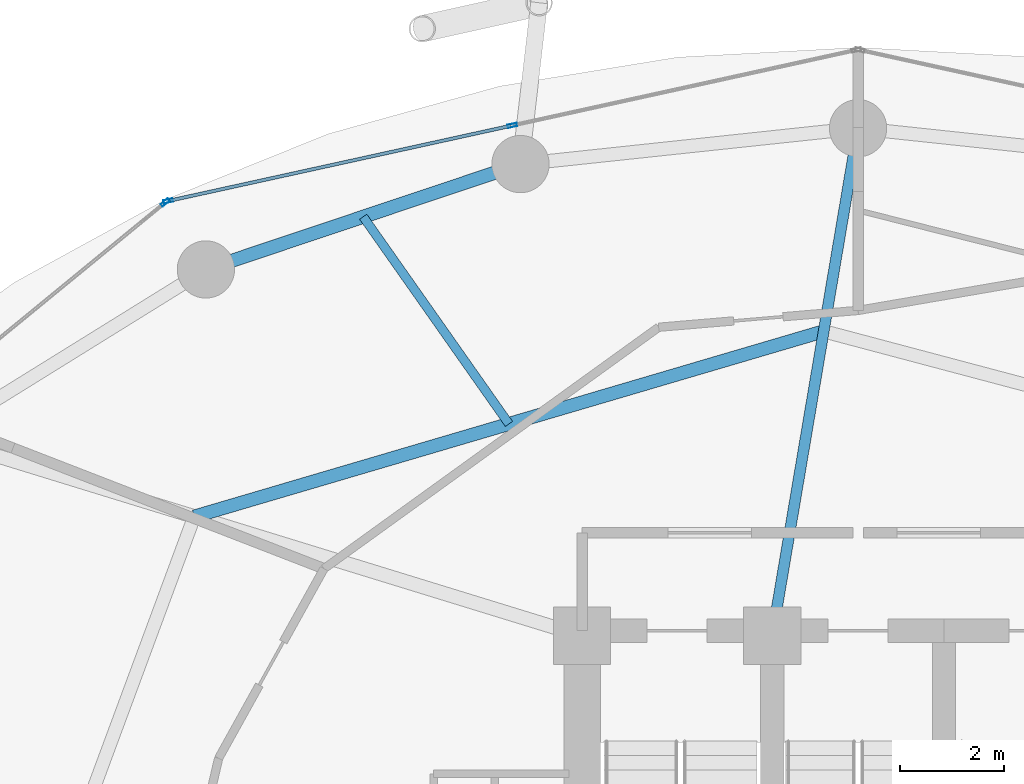
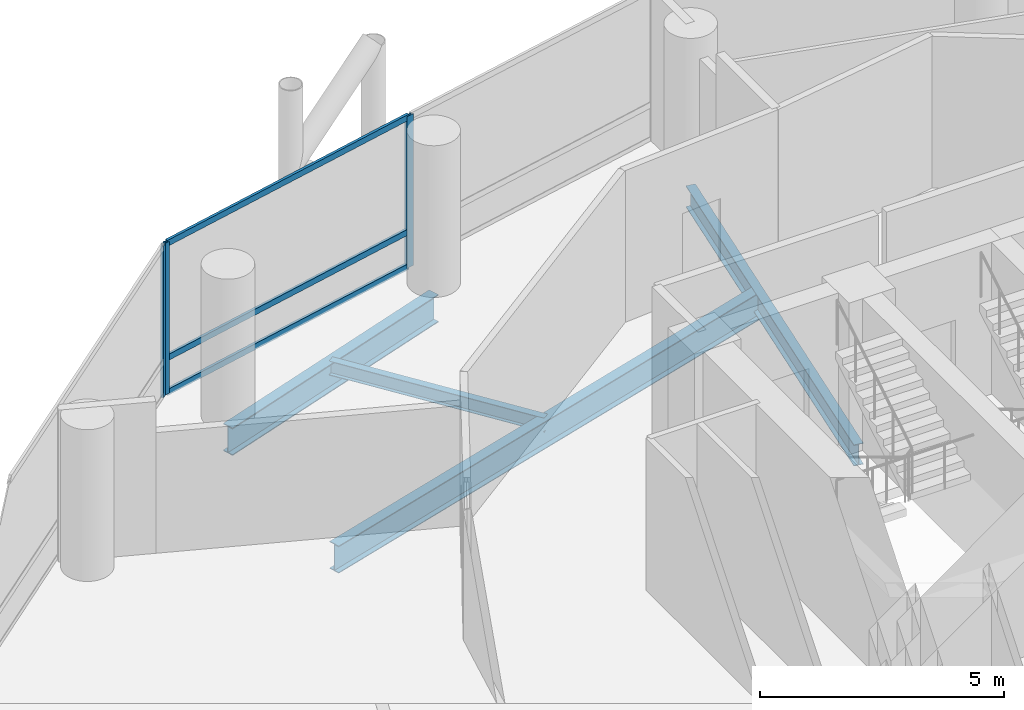
# One storey, part 15 of 24: 6 members, 4 beams, 2 elements without a shape of their own.
"""IFC4 building model written with IfcOpenShell, lengths in metres."""

from ifc_helpers import new_model, si_unit, direction, frame, origin, origin_2d, place, context, subcontext, project, spatial, hollow_rectangle, i_section, extrude, material, layer, layer_set, material_profile, profile_set, type_object, element, aggregate, save


model = new_model("IFC4")

# Units and contexts
model_context = context("Model", 3, precision=1e-05, world=origin(), true_north=direction((0.0, 1.0)))
body_context = subcontext(model_context, "Body", "Model", "MODEL_VIEW")
ifc_project = project(units=[si_unit("LENGTHUNIT", "METRE"), si_unit("AREAUNIT", "SQUARE_METRE"), si_unit("VOLUMEUNIT", "CUBIC_METRE"), si_unit("PLANEANGLEUNIT", "RADIAN"), si_unit("MASSUNIT", "GRAM", prefix="KILO")], contexts=[model_context])

# Site, building, storey
site_placement = place(None, origin())
site = spatial("IfcSite", under=ifc_project, at=site_placement, CompositionType="ELEMENT")
building_placement = place(site_placement, origin())
building = spatial("IfcBuilding", under=site, at=building_placement, Name="Nuhasar Tower", CompositionType="ELEMENT")
storey_placement = place(building_placement, frame((0.0, 0.0, 77.699951171875)))
storey = spatial("IfcBuildingStorey", under=building, at=storey_placement, Name="L18", CompositionType="ELEMENT", Elevation=77.699951171875)

# Beams
ifc_material_1 = material(Name="Steel S355", Category="steel")
ifc_material_profile_1 = material_profile(ifc_material_1, i_section(OverallWidth=0.25390625, OverallDepth=0.68408203125, WebThickness=0.012451171875, FlangeThickness=0.018798828125, at=origin_2d()), Name="W27X94")
ifc_profile_set_1 = profile_set([ifc_material_profile_1], Name="Steel S355")
beam_type_1 = type_object("IfcBeamType", Name="BM-INRING-W27X94", PredefinedType="BEAM", material=ifc_profile_set_1)
beam_1_placement = place(storey_placement, frame((38.340087890625, 43.14990234375, -0.592041015625), z_axis=(-0.959290190666, -0.28242225495, 0.0), x_axis=(0.28242225495, -0.959290190666, 0.0)))
element("IfcBeam", 1, at=beam_1_placement, inside=storey, type_object=beam_type_1, Name="L18 Inner Header Beam 06", PredefinedType="BEAM", context=body_context, shape_type="SweptSolid", body=[
    extrude(i_section(OverallWidth=0.25390625, OverallDepth=0.68408203125, WebThickness=0.012451171875, FlangeThickness=0.018798828125, at=origin_2d()), origin(), (0.0, 0.0, 1.0), 12.60107421875),
])
ifc_material_profile_2 = material_profile(ifc_material_1, i_section(OverallWidth=0.1708984375, OverallDepth=0.35205078125, WebThickness=0.0068359375, FlangeThickness=0.009765625, at=origin_2d()), Name="W14X30")
ifc_profile_set_2 = profile_set([ifc_material_profile_2], Name="Steel S355")
beam_type_2 = type_object("IfcBeamType", Name="BM-JST-W14X30", PredefinedType="JOIST", material=ifc_profile_set_2)
beam_2_placement = place(storey_placement, frame((32.2958984375, 41.3701171875, -0.426025390625), z_axis=(-0.575461088141, 0.817829160666, 0.0), x_axis=(-0.817829160666, -0.575461088141, 0.0)))
element("IfcBeam", 2, at=beam_2_placement, inside=storey, type_object=beam_type_2, Name="L18 Secondary Floor Joist 06", PredefinedType="JOIST", context=body_context, shape_type="SweptSolid", body=[
    extrude(i_section(OverallWidth=0.1708984375, OverallDepth=0.35205078125, WebThickness=0.0068359375, FlangeThickness=0.009765625, at=origin_2d()), origin(), (0.0, 0.0, 1.0), 4.865234375),
])
ifc_material_profile_3 = material_profile(ifc_material_1, i_section(OverallWidth=0.208984375, OverallDepth=0.532958984375, WebThickness=0.01025390625, FlangeThickness=0.015625, at=origin_2d()), Name="W21X62")
ifc_profile_set_3 = profile_set([ifc_material_profile_3], Name="Steel S355")
beam_type_3 = type_object("IfcBeamType", Name="BM-RAD-W21X62", PredefinedType="BEAM", material=ifc_profile_set_3)
beam_3_placement = place(storey_placement, frame((37.35009765625, 37.300048828125, -0.515869140625), z_axis=(0.166848703013, 0.98598251014, 0.0), x_axis=(-0.98598251014, 0.166848703013, 0.0)))
element("IfcBeam", 3, at=beam_3_placement, inside=storey, type_object=beam_type_3, Name="L18 Radial Floor Girder 06", PredefinedType="BEAM", context=body_context, shape_type="SweptSolid", body=[
    extrude(i_section(OverallWidth=0.208984375, OverallDepth=0.532958984375, WebThickness=0.01025390625, FlangeThickness=0.015625, at=origin_2d()), origin(), (0.0, 0.0, 1.0), 9.888671875),
])
ifc_material_profile_4 = material_profile(ifc_material_1, i_section(OverallWidth=0.256103515625, OverallDepth=0.693115234375, WebThickness=0.014404296875, FlangeThickness=0.023681640625, at=origin_2d()), Name="W27X114")
ifc_profile_set_4 = profile_set([ifc_material_profile_4], Name="Steel S355")
beam_type_4 = type_object("IfcBeamType", Name="BM-RING-W27X114", PredefinedType="SPANDREL", material=ifc_profile_set_4)
beam_4_placement = place(storey_placement, frame((32.51708984375, 46.360107421875, -0.596923828125), z_axis=(-0.948249435708, -0.317526388949, 0.0), x_axis=(0.317526388949, -0.948249435708, 0.0)))
element("IfcBeam", 4, at=beam_4_placement, inside=storey, type_object=beam_type_4, Name="L18 Perimeter Ring Spandrel 08", PredefinedType="SPANDREL", context=body_context, shape_type="SweptSolid", body=[
    extrude(i_section(OverallWidth=0.256103515625, OverallDepth=0.693115234375, WebThickness=0.014404296875, FlangeThickness=0.023681640625, at=origin_2d()), origin(), (0.0, 0.0, 1.0), 6.371826171875),
])

# Curtain wall, members
ifc_material_2 = material(Name="Aluminium 6063-T6", Category="aluminium")
ifc_layer = layer(ifc_material_2, 0.199951171875)
ifc_layer_set = layer_set([ifc_layer], Name="Aluminium 6063-T6")
curtain_wall_type = type_object("IfcCurtainWallType", Name="CW-Z1-OFF", PredefinedType="NOTDEFINED", material=ifc_layer_set)
curtain_wall_1_placement = place(storey_placement, origin())
curtain_wall_1 = element("IfcCurtainWall", 5, at=curtain_wall_1_placement, inside=storey, type_object=curtain_wall_type, Name="L18 Unitised Curtain Wall 04", PredefinedType="NOTDEFINED")
ifc_material_profile_5 = material_profile(ifc_material_2, hollow_rectangle(XDim=0.06494140625, YDim=0.179931640625, WallThickness=0.0048828125, at=origin_2d()), Name="CWM-2")
ifc_profile_set_5 = profile_set([ifc_material_profile_5], Name="Aluminium 6063-T6")
member_type_1 = type_object("IfcMemberType", Name="CW-MUL-S2", PredefinedType="MULLION", material=ifc_profile_set_5)
member_1_placement = place(storey_placement, frame((32.360107421875, 47.1025390625, 0.0), z_axis=(0.0, 0.0, 1.0), x_axis=(0.214398737637, -0.976746221544, 0.0)))
member_1 = element("IfcMember", 6, at=member_1_placement, type_object=member_type_1, Name="CW-Z1 mullion 2", PredefinedType="MULLION", context=body_context, shape_type="SweptSolid", body=[
    extrude(hollow_rectangle(XDim=0.06494140625, YDim=0.179931640625, WallThickness=0.0048828125, at=origin_2d()), origin(), (0.0, 0.0, 1.0), 3.800048828125),
])
member_2_placement = place(storey_placement, frame((25.751708984375, 45.65185546875, 0.0), z_axis=(0.0, 0.0, 1.0), x_axis=(0.214398737637, -0.976746221544, 0.0)))
member_2 = element("IfcMember", 7, at=member_2_placement, type_object=member_type_1, Name="CW-Z1 mullion 3", PredefinedType="MULLION", context=body_context, shape_type="SweptSolid", body=[
    extrude(hollow_rectangle(XDim=0.06494140625, YDim=0.179931640625, WallThickness=0.0048828125, at=origin_2d()), origin(), (0.0, 0.0, 1.0), 3.800048828125),
])

# Curtain wall, member
curtain_wall_2_placement = place(storey_placement, origin())
curtain_wall_2 = element("IfcCurtainWall", 8, at=curtain_wall_2_placement, inside=storey, type_object=curtain_wall_type, Name="L18 Unitised Curtain Wall 05", PredefinedType="NOTDEFINED")
member_3_placement = place(storey_placement, frame((25.69482421875, 45.62451171875, 0.0), z_axis=(0.0, 0.0, 1.0), x_axis=(0.633744593376, -0.773542364946, 0.0)))
member_3 = element("IfcMember", 9, at=member_3_placement, type_object=member_type_1, Name="CW-Z1 mullion 1", PredefinedType="MULLION", context=body_context, shape_type="SweptSolid", body=[
    extrude(hollow_rectangle(XDim=0.06494140625, YDim=0.179931640625, WallThickness=0.0048828125, at=origin_2d()), origin(), (0.0, 0.0, 1.0), 3.800048828125),
])
aggregate(curtain_wall_2, [member_3])

# Member
ifc_material_profile_6 = material_profile(ifc_material_2, hollow_rectangle(XDim=0.06494140625, YDim=0.14990234375, WallThickness=0.00439453125, at=origin_2d()), Name="CWT-2")
ifc_profile_set_6 = profile_set([ifc_material_profile_6], Name="Aluminium 6063-T6")
member_type_2 = type_object("IfcMemberType", Name="CW-TRN-S2", PredefinedType="USERDEFINED", material=ifc_profile_set_6)
member_4_placement = place(storey_placement, frame((32.328369140625, 47.095458984375, 0.032470703125), z_axis=(-0.976749553792, -0.214383556196, 0.0), x_axis=(0.214383556196, -0.976749553792, 0.0)))
member_4 = element("IfcMember", 10, at=member_4_placement, type_object=member_type_2, Name="CW-Z1 transom 2.1", ObjectType="TRANSOM", PredefinedType="USERDEFINED", context=body_context, shape_type="SweptSolid", body=[
    extrude(hollow_rectangle(XDim=0.06494140625, YDim=0.14990234375, WallThickness=0.00439453125, at=origin_2d()), origin(), (0.0, 0.0, 1.0), 6.70068359375),
])

member_5_placement = place(storey_placement, frame((32.328369140625, 47.095458984375, 0.900146484375), z_axis=(-0.976749553792, -0.214383556196, 0.0), x_axis=(0.214383556196, -0.976749553792, 0.0)))
member_5 = element("IfcMember", 11, at=member_5_placement, type_object=member_type_2, Name="CW-Z1 transom 2.2", ObjectType="TRANSOM", PredefinedType="USERDEFINED", context=body_context, shape_type="SweptSolid", body=[
    extrude(hollow_rectangle(XDim=0.06494140625, YDim=0.14990234375, WallThickness=0.00439453125, at=origin_2d()), origin(), (0.0, 0.0, 1.0), 6.70068359375),
])

member_6_placement = place(storey_placement, frame((32.328369140625, 47.095458984375, 3.767578125), z_axis=(-0.976749553792, -0.214383556196, 0.0), x_axis=(0.214383556196, -0.976749553792, 0.0)))
member_6 = element("IfcMember", 12, at=member_6_placement, type_object=member_type_2, Name="CW-Z1 transom 2.3", ObjectType="TRANSOM", PredefinedType="USERDEFINED", context=body_context, shape_type="SweptSolid", body=[
    extrude(hollow_rectangle(XDim=0.06494140625, YDim=0.14990234375, WallThickness=0.00439453125, at=origin_2d()), origin(), (0.0, 0.0, 1.0), 6.70068359375),
])

aggregate(curtain_wall_1, [member_1, member_2, member_4, member_5, member_6])

save(model, "model.ifc")
